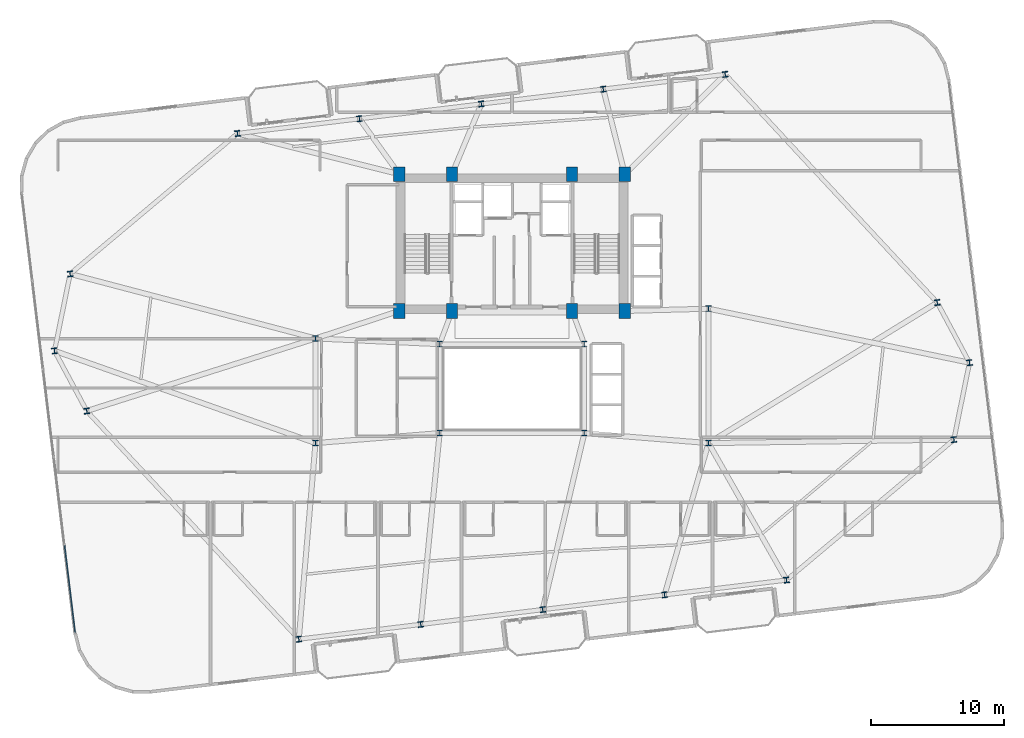
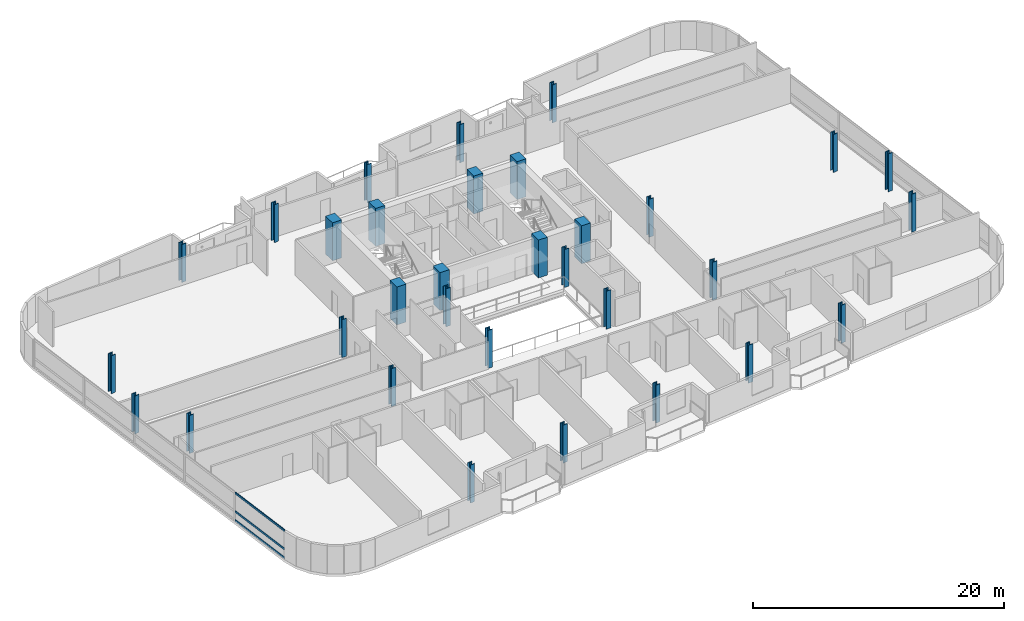
# One storey, part 1 of 23: 32 columns, 3 members, 1 element without a shape of its own.
"""IFC4 building model written with IfcOpenShell, lengths in metres."""

from ifc_helpers import new_model, si_unit, direction, frame, origin, origin_2d, place, context, subcontext, project, spatial, rectangle, hollow_rectangle, i_section, extrude, material, layer, layer_set, material_profile, profile_set, type_object, element, aggregate, save


model = new_model("IFC4")

# Units and contexts
model_context = context("Model", 3, precision=1e-05, world=origin(), true_north=direction((0.0, 1.0)))
body_context = subcontext(model_context, "Body", "Model", "MODEL_VIEW")
ifc_project = project(units=[si_unit("LENGTHUNIT", "METRE"), si_unit("AREAUNIT", "SQUARE_METRE"), si_unit("VOLUMEUNIT", "CUBIC_METRE"), si_unit("PLANEANGLEUNIT", "RADIAN"), si_unit("MASSUNIT", "GRAM", prefix="KILO")], contexts=[model_context])

# Site, building, storey
site_placement = place(None, origin())
site = spatial("IfcSite", under=ifc_project, at=site_placement, CompositionType="ELEMENT")
building_placement = place(site_placement, origin())
building = spatial("IfcBuilding", under=site, at=building_placement, Name="Varnelok Gate Tower", CompositionType="ELEMENT")
storey_placement = place(building_placement, frame((0.0, 0.0, 200.5)))
storey = spatial("IfcBuildingStorey", under=building, at=storey_placement, Name="L51", CompositionType="ELEMENT", Elevation=200.5)

# Columns
ifc_material_1 = material(Name="Concrete C60/75", Category="concrete")
ifc_material_profile_1 = material_profile(ifc_material_1, rectangle(XDim=0.85009765625, YDim=1.10009765625, at=origin_2d()), Name="RC1100X850")
ifc_profile_set_1 = profile_set([ifc_material_profile_1], Name="Concrete C60/75")
column_type_1 = type_object("IfcColumnType", Name="COL-RC1100X850", PredefinedType="COLUMN", material=ifc_profile_set_1)
for number, where, z_axis, x_axis, name in (
    (1, (30.699951171875, 28.75, 0.0), (0.0, 0.0, 1.0), (1.0, 0.0, 0.0), "L51 Core Spine Column SC1"),
    (2, (34.679931640625, 28.75, 0.0), (0.0, 0.0, 1.0), (1.0, 0.0, 0.0), "L51 Core Spine Column SC2"),
    (3, (43.719970703125, 28.75, 0.0), (0.0, 0.0, 1.0), (1.0, 0.0, 0.0), "L51 Core Spine Column SC3"),
    (4, (47.699951171875, 28.75, 0.0), (0.0, 0.0, 1.0), (1.0, 0.0, 0.0), "L51 Core Spine Column SC4"),
    (5, (30.699951171875, 39.050048828125, 0.0), (0.0, 0.0, 1.0), (1.0, 0.0, 0.0), "L51 Core Spine Column SC5"),
    (6, (34.679931640625, 39.050048828125, 0.0), (0.0, 0.0, 1.0), (1.0, 0.0, 0.0), "L51 Core Spine Column SC6"),
    (7, (43.719970703125, 39.050048828125, 0.0), (0.0, 0.0, 1.0), (1.0, 0.0, 0.0), "L51 Core Spine Column SC7"),
    (8, (47.699951171875, 39.050048828125, 0.0), (0.0, 0.0, 1.0), (1.0, 0.0, 0.0), "L51 Core Spine Column SC8"),
):
    element("IfcColumn", number, at=place(storey_placement, frame(where, z_axis=z_axis, x_axis=x_axis)), inside=storey, type_object=column_type_1, Name=name, PredefinedType="COLUMN", context=body_context, shape_type="SweptSolid", body=[
        extrude(rectangle(XDim=0.85009765625, YDim=1.10009765625, at=origin_2d()), origin(), (0.0, 0.0, 1.0), 3.699951171875),
    ])
ifc_material_2 = material(Name="Structural Steel ASTM A992 Grade 50", Category="steel")
ifc_material_profile_2 = material_profile(ifc_material_2, i_section(OverallWidth=0.412109375, OverallDepth=0.43505859375, WebThickness=0.035888671875, FlangeThickness=0.057373046875, FilletRadius=0.02490234375, at=origin_2d()), Name="W14X311")
ifc_profile_set_2 = profile_set([ifc_material_profile_2], Name="Structural Steel ASTM A992 Grade 50")
column_type_2 = type_object("IfcColumnType", Name="COL-W14X311", PredefinedType="COLUMN", material=ifc_profile_set_2)
for number, where, z_axis, x_axis, name in (
    (9, (23.142578125, 4.032958984375, 0.0), (0.0, 0.0, 1.0), (0.992732158755, 0.12034475881, 0.0), "L51 B4 Perimeter Column PC01"),
    (10, (32.325439453125, 5.146240234375, 0.0), (0.0, 0.0, 1.0), (0.992732158755, 0.12034475881, 0.0), "L51 B4 Perimeter Column PC02"),
    (11, (41.50830078125, 6.259521484375, 0.0), (0.0, 0.0, 1.0), (0.992732158755, 0.12034475881, 0.0), "L51 B4 Perimeter Column PC03"),
    (12, (50.69091796875, 7.37255859375, 0.0), (0.0, 0.0, 1.0), (0.992732158755, 0.12034475881, 0.0), "L51 B4 Perimeter Column PC04"),
    (13, (59.873779296875, 8.48583984375, 0.0), (0.0, 0.0, 1.0), (0.992732158755, 0.12034475881, 0.0), "L51 B4 Perimeter Column PC05"),
    (14, (72.476806640625, 19.059326171875, 0.0), (0.0, 0.0, 1.0), (0.992732158755, 0.12034475881, 0.0), "L51 B4 Perimeter Column PC06"),
    (15, (73.654296875, 24.85302734375, 0.0), (0.0, 0.0, 1.0), (0.992732158755, 0.12034475881, 0.0), "L51 B4 Perimeter Column PC07"),
    (16, (71.225341796875, 29.3837890625, 0.0), (0.0, 0.0, 1.0), (0.992732158755, 0.12034475881, 0.0), "L51 B4 Perimeter Column PC08"),
    (17, (55.25732421875, 46.56689453125, 0.0), (0.0, 0.0, 1.0), (0.992732158755, 0.12034475881, 0.0), "L51 B4 Perimeter Column PC09"),
    (18, (46.07470703125, 45.453857421875, 0.0), (0.0, 0.0, 1.0), (0.992732158755, 0.12034475881, 0.0), "L51 B4 Perimeter Column PC10"),
    (19, (36.891845703125, 44.340576171875, 0.0), (0.0, 0.0, 1.0), (0.992732158755, 0.12034475881, 0.0), "L51 B4 Perimeter Column PC11"),
    (20, (27.708984375, 43.227294921875, 0.0), (0.0, 0.0, 1.0), (0.992732158755, 0.12034475881, 0.0), "L51 B4 Perimeter Column PC12"),
    (21, (18.526123046875, 42.1142578125, 0.0), (0.0, 0.0, 1.0), (0.992732158755, 0.12034475881, 0.0), "L51 B4 Perimeter Column PC13"),
    (22, (5.923095703125, 31.540771484375, 0.0), (0.0, 0.0, 1.0), (0.992732158755, 0.12034475881, 0.0), "L51 B4 Perimeter Column PC14"),
    (23, (4.745849609375, 25.746826171875, 0.0), (0.0, 0.0, 1.0), (0.992732158755, 0.12034475881, 0.0), "L51 B4 Perimeter Column PC15"),
    (24, (7.1748046875, 21.21630859375, 0.0), (0.0, 0.0, 1.0), (0.992732158755, 0.12034475881, 0.0), "L51 B4 Perimeter Column PC16"),
):
    element("IfcColumn", number, at=place(storey_placement, frame(where, z_axis=z_axis, x_axis=x_axis)), inside=storey, type_object=column_type_2, Name=name, PredefinedType="COLUMN", context=body_context, shape_type="SweptSolid", body=[
        extrude(i_section(OverallWidth=0.412109375, OverallDepth=0.43505859375, WebThickness=0.035888671875, FlangeThickness=0.057373046875, FilletRadius=0.02490234375, at=origin_2d()), origin(), (0.0, 0.0, 1.0), 3.699951171875),
    ])
ifc_material_profile_3 = material_profile(ifc_material_2, i_section(OverallWidth=0.41796875, OverallDepth=0.455078125, WebThickness=0.0419921875, FlangeThickness=0.067626953125, FilletRadius=0.02490234375, at=origin_2d()), Name="W14X370")
ifc_profile_set_3 = profile_set([ifc_material_profile_3], Name="Structural Steel ASTM A992 Grade 50")
column_type_3 = type_object("IfcColumnType", Name="COL-W14X370", PredefinedType="COLUMN", material=ifc_profile_set_3)
for number, where, z_axis, x_axis, name in (
    (25, (33.75, 19.550048828125, 0.0), (0.0, 0.0, 1.0), (1.0, 0.0, 0.0), "L51 Atrium Spine Column AC1"),
    (26, (44.64990234375, 19.550048828125, 0.0), (0.0, 0.0, 1.0), (1.0, 0.0, 0.0), "L51 Atrium Spine Column AC2"),
    (27, (33.75, 26.25, 0.0), (0.0, 0.0, 1.0), (1.0, 0.0, 0.0), "L51 Atrium Spine Column AC3"),
    (28, (44.64990234375, 26.25, 0.0), (0.0, 0.0, 1.0), (1.0, 0.0, 0.0), "L51 Atrium Spine Column AC4"),
    (29, (24.39990234375, 18.800048828125, 0.0), (0.0, 0.0, 1.0), (1.0, 0.0, 0.0), "L51 Wing Spine Column WS1"),
    (30, (24.39990234375, 26.679931640625, 0.0), (0.0, 0.0, 1.0), (1.0, 0.0, 0.0), "L51 Wing Spine Column WS2"),
    (31, (54.0, 18.800048828125, 0.0), (0.0, 0.0, 1.0), (1.0, 0.0, 0.0), "L51 Wing Spine Column ES1"),
    (32, (54.0, 28.919921875, 0.0), (0.0, 0.0, 1.0), (1.0, 0.0, 0.0), "L51 Wing Spine Column ES2"),
):
    element("IfcColumn", number, at=place(storey_placement, frame(where, z_axis=z_axis, x_axis=x_axis)), inside=storey, type_object=column_type_3, Name=name, PredefinedType="COLUMN", context=body_context, shape_type="SweptSolid", body=[
        extrude(i_section(OverallWidth=0.41796875, OverallDepth=0.455078125, WebThickness=0.0419921875, FlangeThickness=0.067626953125, FilletRadius=0.02490234375, at=origin_2d()), origin(), (0.0, 0.0, 1.0), 3.699951171875),
    ])

# Curtain wall, members
ifc_material_3 = material(Name="Anodized Aluminum Alloy 6063-T6", Category="aluminium")
ifc_layer = layer(ifc_material_3, 0.179931640625)
ifc_layer_set = layer_set([ifc_layer], Name="Anodized Aluminum Alloy 6063-T6")
curtain_wall_type = type_object("IfcCurtainWallType", Name="CW4-RESIDENCE-VISION", PredefinedType="USERDEFINED", material=ifc_layer_set)
curtain_wall_placement = place(storey_placement, origin())
curtain_wall = element("IfcCurtainWall", 33, at=curtain_wall_placement, inside=storey, type_object=curtain_wall_type, Name="L51 West End Vision Curtain Wall", ObjectType="UNITISED CURTAIN WALL", PredefinedType="USERDEFINED")
ifc_material_profile_4 = material_profile(ifc_material_3, hollow_rectangle(XDim=0.074951171875, YDim=0.199951171875, WallThickness=0.00390625, at=origin_2d()), Name="ALU200X75X4")
ifc_profile_set_4 = profile_set([ifc_material_profile_4], Name="Anodized Aluminum Alloy 6063-T6")
member_type = type_object("IfcMemberType", Name="CW-TRAN-200", PredefinedType="USERDEFINED", material=ifc_profile_set_4)
member_1_placement = place(storey_placement, frame((6.29638671875, 4.564453125, 0.03759765625), z_axis=(-0.120369113246, 0.992729206066, 0.0), x_axis=(-0.992729206066, -0.120369113246, 0.0)))
member_1 = element("IfcMember", 34, at=member_1_placement, type_object=member_type, Name="CW4 transom 1.1", ObjectType="TRANSOM", PredefinedType="USERDEFINED", context=body_context, shape_type="SweptSolid", body=[
    extrude(hollow_rectangle(XDim=0.074951171875, YDim=0.199951171875, WallThickness=0.00390625, at=origin_2d()), origin(), (0.0, 0.0, 1.0), 6.567626953125),
])
member_2_placement = place(storey_placement, frame((6.29638671875, 4.564453125, 0.89990234375), z_axis=(-0.120369113246, 0.992729206066, 0.0), x_axis=(-0.992729206066, -0.120369113246, 0.0)))
member_2 = element("IfcMember", 35, at=member_2_placement, type_object=member_type, Name="CW4 transom 1.2", ObjectType="TRANSOM", PredefinedType="USERDEFINED", context=body_context, shape_type="SweptSolid", body=[
    extrude(hollow_rectangle(XDim=0.074951171875, YDim=0.199951171875, WallThickness=0.00390625, at=origin_2d()), origin(), (0.0, 0.0, 1.0), 6.567626953125),
])
member_3_placement = place(storey_placement, frame((6.29638671875, 4.564453125, 2.6923828125), z_axis=(-0.120369113246, 0.992729206066, 0.0), x_axis=(-0.992729206066, -0.120369113246, 0.0)))
member_3 = element("IfcMember", 36, at=member_3_placement, type_object=member_type, Name="CW4 transom 1.3", ObjectType="TRANSOM", PredefinedType="USERDEFINED", context=body_context, shape_type="SweptSolid", body=[
    extrude(hollow_rectangle(XDim=0.074951171875, YDim=0.199951171875, WallThickness=0.00390625, at=origin_2d()), origin(), (0.0, 0.0, 1.0), 6.567626953125),
])
aggregate(curtain_wall, [member_1, member_2, member_3])

save(model, "model.ifc")
